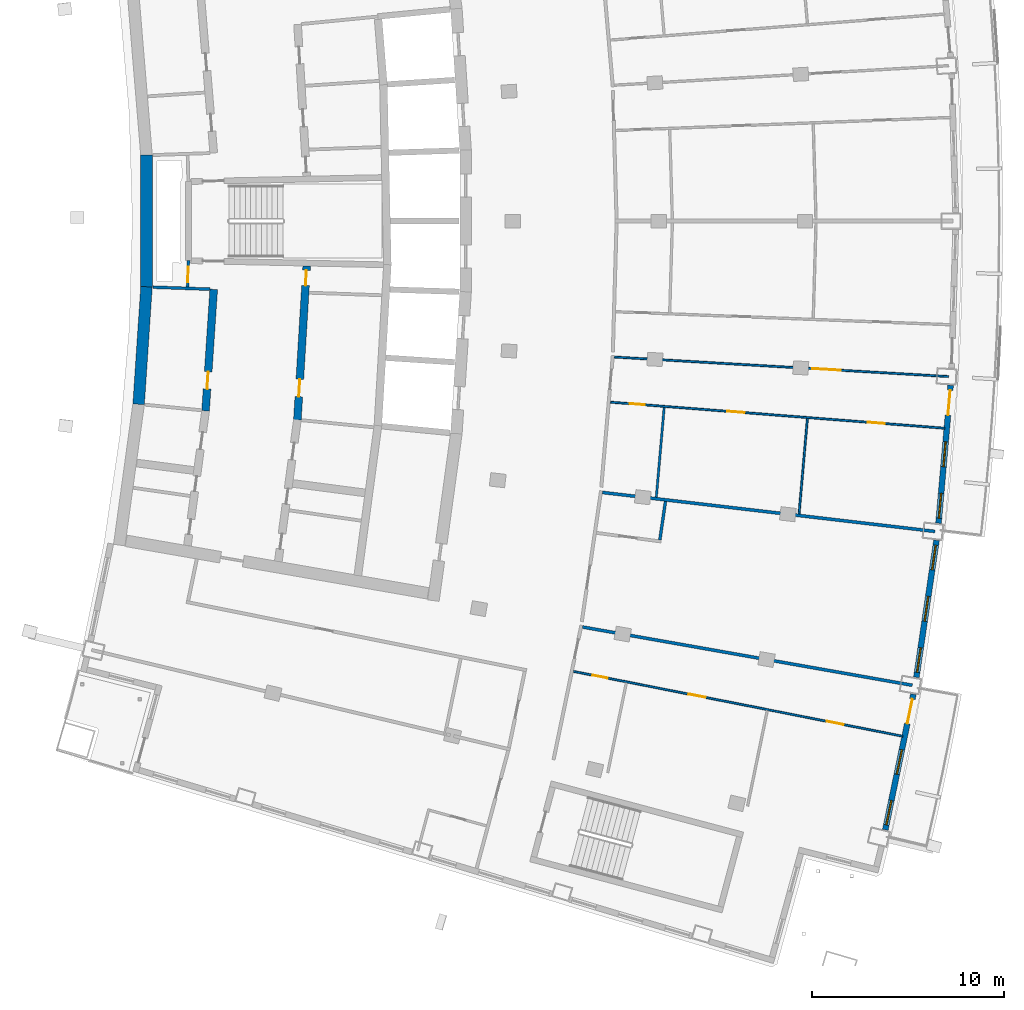
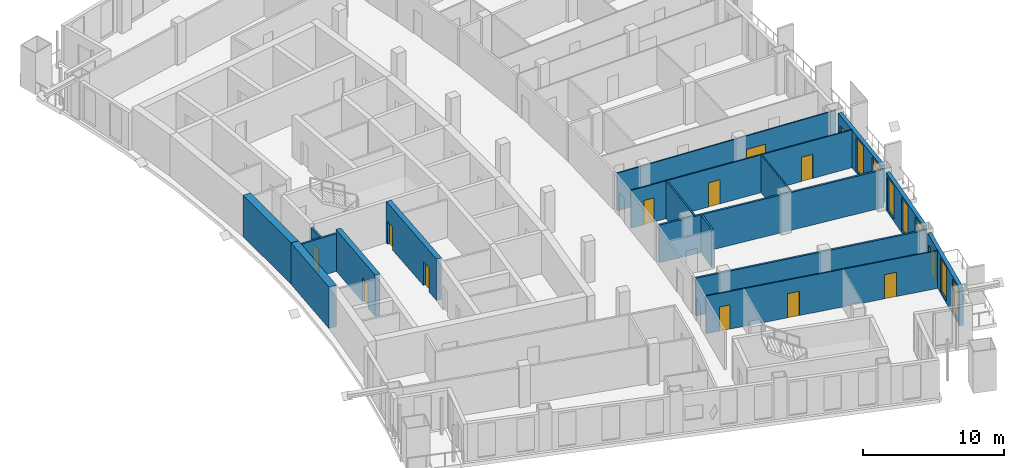
# One storey, part 11 of 19: 17 walls, 13 doors, 7 windows, 20 openings.
"""IFC4 building model written with IfcOpenShell, lengths in metres."""

import ifcopenshell
import ifcopenshell.guid

model = None  # the IFC model being written
_history = None  # IfcOwnerHistory: only IFC2X3 demands one
_inside = {}  # id of a spatial element -> (the spatial element, [elements in it])
_under = {}  # id of a project, library or spatial element -> (it, [spatial elements below it])
_declared = {}  # id of a project -> (the project, [libraries it declares])
_typed = {}  # id of a type object -> (the type object, [elements of that type])
_made_of = {}  # id of a material, layer set ... -> (it, [elements and type objects made of it])


def new_model(schema):
    """Start an empty IFC model of exactly this schema.

    Asked for "IFC4X3", IfcOpenShell would pick the latest addendum, in which some entities
    have other attributes; the version numbers below select the first issue.
    IFC2X3 requires an IfcOwnerHistory on every rooted entity: one is made here for all.
    """
    global model, _history
    if schema == "IFC4X3":
        model = ifcopenshell.file(schema_version=(4, 3, 0, 0))
    else:
        model = ifcopenshell.file(schema=schema)
    _inside.clear()
    _under.clear()
    _declared.clear()
    _typed.clear()
    _made_of.clear()
    _history = None
    if model.schema == "IFC2X3":
        org = make("IfcOrganization", Name="unknown")
        user = make(
            "IfcPersonAndOrganization",
            ThePerson=make("IfcPerson", FamilyName="unknown"),
            TheOrganization=org,
        )
        app = make(
            "IfcApplication",
            ApplicationDeveloper=org,
            Version="unknown",
            ApplicationFullName="unknown",
            ApplicationIdentifier="unknown",
        )
        _history = make(
            "IfcOwnerHistory",
            OwningUser=user,
            OwningApplication=app,
            ChangeAction="ADDED",
            CreationDate=0,
        )
    return model


def make(cls, **values):
    """One entity of the class cls with the attributes given. An attribute that is None is left unset."""
    return model.create_entity(
        cls, **{name: value for name, value in values.items() if value is not None}
    )


def rooted(cls, **values):
    """An entity with a GlobalId (a new one), such as an element, a storey or a relation."""
    return make(cls, GlobalId=ifcopenshell.guid.new(), OwnerHistory=_history, **values)


def si_unit(unit_type, name, prefix=None):
    """IfcSIUnit, for example si_unit("LENGTHUNIT", "METRE", prefix="MILLI")."""
    return make("IfcSIUnit", UnitType=unit_type, Prefix=prefix, Name=name)


def assignment(units):
    """IfcUnitAssignment: the units of a project."""
    return None if units is None else make("IfcUnitAssignment", Units=units)


def point(xyz):
    """IfcCartesianPoint."""
    return None if xyz is None else make("IfcCartesianPoint", Coordinates=xyz)


def direction(xyz):
    """IfcDirection."""
    return None if xyz is None else make("IfcDirection", DirectionRatios=xyz)


def frame(location, z_axis=None, x_axis=None):
    """IfcAxis2Placement3D, a coordinate frame: its origin and axes. An axis left out is left unset."""
    return make(
        "IfcAxis2Placement3D",
        Location=point(location),
        Axis=direction(z_axis),
        RefDirection=direction(x_axis),
    )


def frame_2d(location, x_axis=None):
    """IfcAxis2Placement2D, a coordinate frame in the plane: its origin and x axis."""
    return make(
        "IfcAxis2Placement2D", Location=point(location), RefDirection=direction(x_axis)
    )


def origin():
    """The frame at (0, 0, 0) with its axes left unset."""
    return frame((0.0, 0.0, 0.0))


def place(relative_to, where):
    """IfcLocalPlacement: puts the frame where relative to a parent placement (None: the world)."""
    return make(
        "IfcLocalPlacement", PlacementRelTo=relative_to, RelativePlacement=where
    )


def context(
    kind, dimensions, precision=None, world=None, true_north=None, identifier=None
):
    """IfcGeometricRepresentationContext, for example the 3D "Model" context."""
    return make(
        "IfcGeometricRepresentationContext",
        ContextIdentifier=identifier,
        ContextType=kind,
        CoordinateSpaceDimension=dimensions,
        Precision=precision,
        WorldCoordinateSystem=world,
        TrueNorth=true_north,
    )


def subcontext(parent, identifier, kind, view, scale=None):
    """IfcGeometricRepresentationSubContext, for example "Body" below "Model"."""
    return make(
        "IfcGeometricRepresentationSubContext",
        ContextIdentifier=identifier,
        ContextType=kind,
        ParentContext=parent,
        TargetScale=scale,
        TargetView=view,
    )


def project(units=None, contexts=None):
    """IfcProject with its units and contexts."""
    return rooted(
        "IfcProject",
        Name="project",
        RepresentationContexts=contexts,
        UnitsInContext=assignment(units),
    )


def spatial(cls, under=None, at=None, **own):
    """A site, building, storey or space (cls), placed at a placement, below another one or the project."""
    s = rooted(cls, ObjectPlacement=at, **own)
    if under is not None:
        _under.setdefault(under.id(), (under, []))[1].append(s)
    return s


def profile(cls, at=None, kind="AREA", **sizes):
    """A parametric profile (cls). Its sizes go by their IFC names, for example OverallWidth=200.0."""
    return make(cls, ProfileType=kind, Position=at, **sizes)


def rectangle(**sizes):
    """IfcRectangleProfileDef."""
    return profile("IfcRectangleProfileDef", **sizes)


def extrude(swept, where, along, depth):
    """IfcExtrudedAreaSolid: the profile swept, set in the frame where, extruded along a direction by depth."""
    return make(
        "IfcExtrudedAreaSolid",
        SweptArea=swept,
        Position=where,
        ExtrudedDirection=direction(along),
        Depth=depth,
    )


def shape(context_of_items, identifier, shape_type, items):
    """IfcShapeRepresentation: the items that make up one representation, for example the "Body"."""
    return make(
        "IfcShapeRepresentation",
        ContextOfItems=context_of_items,
        RepresentationIdentifier=identifier,
        RepresentationType=shape_type,
        Items=items,
    )


def material(Name=None, Category=None):
    """IfcMaterial."""
    return make("IfcMaterial", Name=Name, Category=Category)


def layer(
    of_material, thickness, ventilated=None, Name=None, Category=None, Priority=None
):
    """IfcMaterialLayer: one layer of a wall or slab, of a material (None: an air gap)."""
    return make(
        "IfcMaterialLayer",
        Material=of_material,
        LayerThickness=thickness,
        IsVentilated=ventilated,
        Name=Name,
        Category=Category,
        Priority=Priority,
    )


def layer_set(layers, Name=None):
    """IfcMaterialLayerSet."""
    return make("IfcMaterialLayerSet", MaterialLayers=layers, LayerSetName=Name)


def made_of(thing, what):
    """Note that an element or type object is made of a material, layer set ...; save() writes the relation."""
    if what is not None:
        _made_of.setdefault(what.id(), (what, []))[1].append(thing)
    return thing


def type_object(cls, material=None, **own):
    """A type object (cls), such as IfcWallType, which elements share."""
    return made_of(rooted(cls, **own), material)


def element(
    cls,
    number,
    at=None,
    inside=None,
    cuts=None,
    type_object=None,
    material=None,
    context=None,
    identifier="Body",
    shape_type=None,
    held_by="IfcProductDefinitionShape",
    body=None,
    shapes=None,
    **own,
):
    """One element of the class cls, such as IfcWall. Its Tag is "e" and its number.

    at: its placement. inside: the storey or other place that contains it. cuts: it is an
    opening in that element (IfcRelVoidsElement). A single representation is given by context,
    identifier, shape_type and body (its items); several are given by shapes. held_by: the class
    of the entity that holds the representations. save() writes the other relations.
    """
    e = rooted(cls, Tag="e%d" % number, ObjectPlacement=at, **own)
    if body is not None:
        shapes = [shape(context, identifier, shape_type, body)]
    if shapes is not None:
        e.Representation = make(held_by, Representations=shapes)
    if inside is not None:
        _inside.setdefault(inside.id(), (inside, []))[1].append(e)
    if cuts is not None:
        rooted(
            "IfcRelVoidsElement", RelatingBuildingElement=cuts, RelatedOpeningElement=e
        )
    if type_object is not None:
        _typed.setdefault(type_object.id(), (type_object, []))[1].append(e)
    return made_of(e, material)


def fill(opening, filler):
    """IfcRelFillsElement: the door or window that sits in an opening."""
    return rooted(
        "IfcRelFillsElement",
        RelatingOpeningElement=opening,
        RelatedBuildingElement=filler,
    )


def aggregate(whole, parts):
    """IfcRelAggregates: a whole, such as a stair, and the parts it consists of."""
    return rooted("IfcRelAggregates", RelatingObject=whole, RelatedObjects=parts)


def save(model, path):
    """Write the relations noted so far, then the file.

    IfcRelAggregates (storeys below a building ...), IfcRelContainedInSpatialStructure (elements
    in a storey), IfcRelDefinesByType, IfcRelAssociatesMaterial and IfcRelDeclares: one each for
    every whole, place, type object, material and project.
    """
    for whole, parts in _under.values():
        aggregate(whole, parts)
    for where, things in _inside.values():
        rooted(
            "IfcRelContainedInSpatialStructure",
            RelatedElements=things,
            RelatingStructure=where,
        )
    for kind, things in _typed.values():
        rooted("IfcRelDefinesByType", RelatedObjects=things, RelatingType=kind)
    for what, things in _made_of.values():
        rooted("IfcRelAssociatesMaterial", RelatedObjects=things, RelatingMaterial=what)
    for by, libraries in _declared.values():
        rooted("IfcRelDeclares", RelatingContext=by, RelatedDefinitions=libraries)
    model.write(path)


model = new_model("IFC4")

# Units and contexts
model_context = context("Model", 3, precision=1e-05, world=origin(), true_north=direction((0.0, 1.0)))
body_context = subcontext(model_context, "Body", "Model", "MODEL_VIEW")
ifc_project = project(units=[si_unit("LENGTHUNIT", "METRE"), si_unit("AREAUNIT", "SQUARE_METRE"), si_unit("VOLUMEUNIT", "CUBIC_METRE"), si_unit("PLANEANGLEUNIT", "RADIAN"), si_unit("MASSUNIT", "GRAM", prefix="KILO")], contexts=[model_context])

# Site, building, storey
site_placement = place(None, origin())
site = spatial("IfcSite", under=ifc_project, at=site_placement, CompositionType="ELEMENT")
building_placement = place(site_placement, origin())
building = spatial("IfcBuilding", under=site, at=building_placement, Name="Alderwake Tower", CompositionType="ELEMENT")
storey_placement = place(building_placement, frame((0.0, 0.0, 196.39990234375)))
storey = spatial("IfcBuildingStorey", under=building, at=storey_placement, Name="L48", CompositionType="ELEMENT", Elevation=196.39990234375)

# Wall, opening, door
ifc_material_1 = material(Name="Gypsum shaft wall system, rated")
ifc_layer_1 = layer(ifc_material_1, 0.14990234375)
ifc_layer_set_1 = layer_set([ifc_layer_1], Name="Core room partition 150")
wall_type_1 = type_object("IfcWallType", Name="Core room partition 150", PredefinedType="PARTITIONING", material=ifc_layer_set_1)
wall_1_placement = place(storey_placement, frame((18.918701171875, 58.94384765625, 0.0), z_axis=(0.0, 0.0, 1.0), x_axis=(-0.027811602725, -0.999613182563, 0.0)))
wall_1 = element("IfcWall", 1, at=wall_1_placement, inside=storey, type_object=wall_type_1, Name="CW/L48/PA+24_-37", PredefinedType="PARTITIONING", context=body_context, shape_type="SweptSolid", body=[
    extrude(rectangle(XDim=1.369384765625, YDim=0.14990234375, at=frame_2d((0.6845703125, 0.0))), origin(), (0.0, 0.0, 1.0), 3.280029296875),
])
opening_1_placement = place(wall_1_placement, frame((0.322998046875, 0.0, 0.0)))
opening_1 = element("IfcOpeningElement", 2, at=opening_1_placement, cuts=wall_1, Name="Opening C004", PredefinedType="OPENING", context=body_context, shape_type="SweptSolid", body=[
    extrude(rectangle(XDim=0.800048828125, YDim=2.0, at=frame_2d((0.39990234375, 1.0))), frame((0.0, 0.0849609375, 0.0), z_axis=(0.0, -1.0, 0.0), x_axis=(1.0, 0.0, 0.0)), (0.0, 0.0, 1.0), 0.169921875),
])
ifc_material_2 = material(Name="Painted steel leaf, rated", Category="steel")
door_type_1 = type_object("IfcDoorType", Name="Riser access door 800", OperationType="SINGLE_SWING_LEFT", PredefinedType="DOOR", material=ifc_material_2)
door_1_placement = place(opening_1_placement, origin())
door_1 = element("IfcDoor", 3, at=door_1_placement, inside=storey, type_object=door_type_1, Name="Riser access door", OperationType="SINGLE_SWING_RIGHT", OverallHeight=2.0, OverallWidth=0.800048828125, PredefinedType="DOOR", context=body_context, shape_type="SweptSolid", body=[
    extrude(rectangle(XDim=0.800048828125, YDim=2.0, at=frame_2d((0.39990234375, 1.0))), frame((0.0, 0.02490234375, 0.0), z_axis=(0.0, -1.0, 0.0), x_axis=(1.0, 0.0, 0.0)), (0.0, 0.0, 1.0), 0.050048828125),
])
fill(opening_1, door_1)

# Walls
wall_2_placement = place(storey_placement, frame((17.0693359375, 57.56396484375, 0.0), z_axis=(0.0, 0.0, 1.0), x_axis=(0.999374945052, -0.03535136775, 0.0)))
element("IfcWall", 4, at=wall_2_placement, inside=storey, type_object=wall_type_1, Name="CW/L48/PR-37_+0", PredefinedType="PARTITIONING", context=body_context, shape_type="SweptSolid", body=[
    extrude(rectangle(XDim=2.9697265625, YDim=0.14990234375, at=frame_2d((1.48486328125, 0.0))), origin(), (0.0, 0.0, 1.0), 3.280029296875),
])
ifc_material_3 = material(Name="Concrete C70/85", Category="concrete")
ifc_layer_2 = layer(ifc_material_3, 0.60009765625)
ifc_layer_set_2 = layer_set([ifc_layer_2], Name="Core wall outer 600 C70-85")
wall_type_2 = type_object("IfcWallType", Name="Core wall outer 600 C70-85", PredefinedType="SHEAR", material=ifc_layer_set_2)
wall_3_placement = place(storey_placement, frame((16.330078125, 51.469970703125, 0.0), z_axis=(0.0, 0.0, 1.0), x_axis=(0.066870582109, 0.997761657536, 0.0)))
element("IfcWall", 5, at=wall_3_placement, inside=storey, type_object=wall_type_2, Name="Core wall CW.036", PredefinedType="SHEAR", context=body_context, shape_type="SweptSolid", body=[
    extrude(rectangle(XDim=6.1298828125, YDim=0.60009765625, at=frame_2d((3.06494140625, 0.0))), origin(), (0.0, 0.0, 1.0), 3.60009765625),
])
wall_4_placement = place(storey_placement, frame((16.739501953125, 57.565185546875, 0.0), z_axis=(0.0, 0.0, 1.0), x_axis=(0.0, 1.0, 0.0)))
element("IfcWall", 6, at=wall_4_placement, inside=storey, type_object=wall_type_2, Name="Core wall CW.038", PredefinedType="SHEAR", context=body_context, shape_type="SweptSolid", body=[
    extrude(rectangle(XDim=6.8720703125, YDim=0.60009765625, at=frame_2d((3.43603515625, 0.0))), origin(), (0.0, 0.0, 1.0), 3.60009765625),
])

# Wall, opening, door
ifc_material_4 = material(Name="Concrete C70/85", Category="concrete")
ifc_layer_3 = layer(ifc_material_4, 0.39990234375)
ifc_layer_set_3 = layer_set([ifc_layer_3], Name="Core wall spine 400 C70-85")
wall_type_3 = type_object("IfcWallType", Name="Core wall spine 400 C70-85", PredefinedType="SHEAR", material=ifc_layer_set_3)
wall_5_placement = place(storey_placement, frame((20.2373046875, 57.451904296875, 0.0), z_axis=(0.0, 0.0, 1.0), x_axis=(-0.066884681503, -0.997760712486, 0.0)))
wall_5 = element("IfcWall", 7, at=wall_5_placement, inside=storey, type_object=wall_type_3, Name="Core wall CW.032", PredefinedType="SHEAR", context=body_context, shape_type="SweptSolid", body=[
    extrude(rectangle(XDim=6.336669921875, YDim=0.39990234375, at=frame_2d((3.16845703125, 0.0))), origin(), (0.0, 0.0, 1.0), 3.60009765625),
])
opening_2_placement = place(wall_5_placement, frame((4.297119140625, 0.0, 0.0)))
opening_2 = element("IfcOpeningElement", 8, at=opening_2_placement, cuts=wall_5, Name="Opening C040", PredefinedType="OPENING", context=body_context, shape_type="SweptSolid", body=[
    extrude(rectangle(XDim=0.89990234375, YDim=2.10009765625, at=frame_2d((0.449951171875, 1.050048828125))), frame((0.0, 0.2099609375, 0.0), z_axis=(0.0, -1.0, 0.0), x_axis=(1.0, 0.0, 0.0)), (0.0, 0.0, 1.0), 0.419921875),
])
ifc_material_5 = material(Name="Painted steel leaf", Category="steel")
door_type_2 = type_object("IfcDoorType", Name="Core room door 900", OperationType="SINGLE_SWING_LEFT", PredefinedType="DOOR", material=ifc_material_5)
door_2_placement = place(opening_2_placement, origin())
door_2 = element("IfcDoor", 9, at=door_2_placement, inside=storey, type_object=door_type_2, Name="Room door", OperationType="SINGLE_SWING_RIGHT", OverallHeight=2.10009765625, OverallWidth=0.89990234375, PredefinedType="DOOR", context=body_context, shape_type="SweptSolid", body=[
    extrude(rectangle(XDim=0.89990234375, YDim=2.10009765625, at=frame_2d((0.449951171875, 1.050048828125))), frame((0.0, 0.02490234375, 0.0), z_axis=(0.0, -1.0, 0.0), x_axis=(1.0, 0.0, 0.0)), (0.0, 0.0, 1.0), 0.050048828125),
])
fill(opening_2, door_2)

# Wall, openings, doors
wall_6_placement = place(storey_placement, frame((24.590087890625, 50.65673828125, 0.0), z_axis=(0.0, 0.0, 1.0), x_axis=(0.060318641452, 0.998179173041, 0.0)))
wall_6 = element("IfcWall", 10, at=wall_6_placement, inside=storey, type_object=wall_type_3, Name="Core wall CW.046", PredefinedType="SHEAR", context=body_context, shape_type="SweptSolid", body=[
    extrude(rectangle(XDim=8.022216796875, YDim=0.39990234375, at=frame_2d((4.01123046875, 0.0))), origin(), (0.0, 0.0, 1.0), 3.60009765625),
])
opening_3_placement = place(wall_6_placement, frame((7.006103515625, 0.0, 0.0)))
opening_3 = element("IfcOpeningElement", 11, at=opening_3_placement, cuts=wall_6, Name="Opening C006", PredefinedType="OPENING", context=body_context, shape_type="SweptSolid", body=[
    extrude(rectangle(XDim=0.800048828125, YDim=2.0, at=frame_2d((0.39990234375, 1.0))), frame((0.0, 0.2099609375, 0.0), z_axis=(0.0, -1.0, 0.0), x_axis=(1.0, 0.0, 0.0)), (0.0, 0.0, 1.0), 0.419921875),
])
opening_4_placement = place(wall_6_placement, frame((1.21533203125, 0.0, 0.0)))
opening_4 = element("IfcOpeningElement", 12, at=opening_4_placement, cuts=wall_6, Name="Opening C046", PredefinedType="OPENING", context=body_context, shape_type="SweptSolid", body=[
    extrude(rectangle(XDim=0.89990234375, YDim=2.10009765625, at=frame_2d((0.449951171875, 1.050048828125))), frame((0.0, 0.2099609375, 0.0), z_axis=(0.0, -1.0, 0.0), x_axis=(1.0, 0.0, 0.0)), (0.0, 0.0, 1.0), 0.419921875),
])
door_3_placement = place(opening_4_placement, origin())
door_3 = element("IfcDoor", 13, at=door_3_placement, inside=storey, type_object=door_type_2, Name="Room door", OperationType="SINGLE_SWING_RIGHT", OverallHeight=2.10009765625, OverallWidth=0.89990234375, PredefinedType="DOOR", context=body_context, shape_type="SweptSolid", body=[
    extrude(rectangle(XDim=0.89990234375, YDim=2.10009765625, at=frame_2d((0.449951171875, 1.050048828125))), frame((0.0, 0.02490234375, 0.0), z_axis=(0.0, -1.0, 0.0), x_axis=(1.0, 0.0, 0.0)), (0.0, 0.0, 1.0), 0.050048828125),
])
fill(opening_4, door_3)
door_4_placement = place(opening_3_placement, origin())
door_4 = element("IfcDoor", 14, at=door_4_placement, inside=storey, type_object=door_type_1, Name="Riser access door", OperationType="SINGLE_SWING_RIGHT", OverallHeight=2.0, OverallWidth=0.800048828125, PredefinedType="DOOR", context=body_context, shape_type="SweptSolid", body=[
    extrude(rectangle(XDim=0.800048828125, YDim=2.0, at=frame_2d((0.39990234375, 1.0))), frame((0.0, 0.02490234375, 0.0), z_axis=(0.0, -1.0, 0.0), x_axis=(1.0, 0.0, 0.0)), (0.0, 0.0, 1.0), 0.050048828125),
])
fill(opening_3, door_4)

# Walls
ifc_material_6 = material(Name="Gypsum board on metal studs, rated")
ifc_layer_4 = layer(ifc_material_6, 0.159912109375)
ifc_layer_set_4 = layer_set([ifc_layer_4], Name="Corridor wall 160")
wall_type_4 = type_object("IfcWallType", Name="Corridor wall 160", PredefinedType="PARTITIONING", material=ifc_layer_set_4)
wall_7_placement = place(storey_placement, frame((56.5830078125, 36.85205078125, 0.0), z_axis=(0.0, 0.0, 1.0), x_axis=(-0.984749823473, 0.173976392566, 0.0)))
element("IfcWall", 15, at=wall_7_placement, inside=storey, type_object=wall_type_4, Name="WL/L48/W28", PredefinedType="PARTITIONING", context=body_context, shape_type="SweptSolid", body=[
    extrude(rectangle(XDim=17.421875, YDim=0.159912109375, at=frame_2d((8.7109375, 0.0))), origin(), (0.0, 0.0, 1.0), 3.280029296875),
])
wall_8_placement = place(storey_placement, frame((57.756103515625, 44.85595703125, 0.0), z_axis=(0.0, 0.0, 1.0), x_axis=(-0.993199884599, 0.116421601229, 0.0)))
element("IfcWall", 16, at=wall_8_placement, inside=storey, type_object=wall_type_4, Name="WL/L48/W29", PredefinedType="PARTITIONING", context=body_context, shape_type="SweptSolid", body=[
    extrude(rectangle(XDim=17.41796875, YDim=0.159912109375, at=frame_2d((8.708984375, 0.0))), origin(), (0.0, 0.0, 1.0), 3.280029296875),
])

# Wall, openings, door, windows
ifc_material_7 = material(Name="Precast concrete C50/60 spandrel panel", Category="concrete")
ifc_layer_5 = layer(ifc_material_7, 0.300048828125)
ifc_layer_set_5 = layer_set([ifc_layer_5], Name="External wall EW1 Precast concrete C50/60 spandrel")
wall_type_5 = type_object("IfcWallType", Name="External wall EW1 Precast concrete C50/60 spandrel", PredefinedType="SOLIDWALL", material=ifc_layer_set_5)
wall_9_placement = place(storey_placement, frame((55.177978515625, 29.3330078125, 0.0), z_axis=(0.0, 0.0, 1.0), x_axis=(0.202740086823, 0.979232585852, 0.0)))
wall_9 = element("IfcWall", 17, at=wall_9_placement, inside=storey, type_object=wall_type_5, Name="External wall 12", PredefinedType="SOLIDWALL", context=body_context, shape_type="SweptSolid", body=[
    extrude(rectangle(XDim=7.20361328125, YDim=0.300048828125, at=frame_2d((3.601806640625, 0.0))), origin(), (0.0, 0.0, 1.0), 3.280029296875),
])
opening_5_placement = place(wall_9_placement, frame((0.257080078125, 0.0, 0.199951171875)))
opening_5 = element("IfcOpeningElement", 18, at=opening_5_placement, cuts=wall_9, Name="Opening W1", PredefinedType="OPENING", context=body_context, shape_type="SweptSolid", body=[
    extrude(rectangle(XDim=1.300048828125, YDim=2.89990234375, at=frame_2d((0.64990234375, 1.449951171875))), frame((0.0, 0.159912109375, 0.0), z_axis=(0.0, -1.0, 0.0), x_axis=(1.0, 0.0, 0.0)), (0.0, 0.0, 1.0), 0.320068359375),
])
opening_6_placement = place(wall_9_placement, frame((2.951904296875, 0.0, 0.199951171875)))
opening_6 = element("IfcOpeningElement", 19, at=opening_6_placement, cuts=wall_9, Name="Opening W1", PredefinedType="OPENING", context=body_context, shape_type="SweptSolid", body=[
    extrude(rectangle(XDim=1.300048828125, YDim=2.89990234375, at=frame_2d((0.64990234375, 1.449951171875))), frame((0.0, 0.159912109375, 0.0), z_axis=(0.0, -1.0, 0.0), x_axis=(1.0, 0.0, 0.0)), (0.0, 0.0, 1.0), 0.320068359375),
])
opening_7_placement = place(wall_9_placement, frame((5.646484375, 0.0, 0.0)))
opening_7 = element("IfcOpeningElement", 20, at=opening_7_placement, cuts=wall_9, Name="Opening D02", PredefinedType="OPENING", context=body_context, shape_type="SweptSolid", body=[
    extrude(rectangle(XDim=1.300048828125, YDim=2.39990234375, at=frame_2d((0.64990234375, 1.199951171875))), frame((0.0, 0.159912109375, 0.0), z_axis=(0.0, -1.0, 0.0), x_axis=(1.0, 0.0, 0.0)), (0.0, 0.0, 1.0), 0.320068359375),
])
ifc_material_8 = material(Name="Bronze tinted glass in aluminium frame", Category="aluminium")
door_type_3 = type_object("IfcDoorType", Name="Balcony door BD sliding", OperationType="SLIDING_TO_LEFT", PredefinedType="DOOR", material=ifc_material_8)
door_5_placement = place(opening_7_placement, origin())
door_5 = element("IfcDoor", 21, at=door_5_placement, inside=storey, type_object=door_type_3, Name="Door D02", OperationType="SLIDING_TO_LEFT", OverallHeight=2.39990234375, OverallWidth=1.300048828125, PredefinedType="DOOR", context=body_context, shape_type="SweptSolid", body=[
    extrude(rectangle(XDim=1.300048828125, YDim=2.39990234375, at=frame_2d((0.64990234375, 1.199951171875))), frame((0.0, 0.02490234375, 0.0), z_axis=(0.0, -1.0, 0.0), x_axis=(1.0, 0.0, 0.0)), (0.0, 0.0, 1.0), 0.050048828125),
])
fill(opening_7, door_5)
ifc_material_9 = material(Name="Bronze tinted glass in aluminium frame", Category="aluminium")
window_type = type_object("IfcWindowType", Name="Window W1 tall fixed and vent", PartitioningType="DOUBLE_PANEL_VERTICAL", PredefinedType="WINDOW", material=ifc_material_9)
window_1_placement = place(opening_5_placement, origin())
window_1 = element("IfcWindow", 22, at=window_1_placement, inside=storey, type_object=window_type, Name="Window W1 tall fixed and vent", OverallHeight=2.89990234375, OverallWidth=1.300048828125, PartitioningType="DOUBLE_PANEL_VERTICAL", PredefinedType="WINDOW", context=body_context, shape_type="SweptSolid", body=[
    extrude(rectangle(XDim=1.300048828125, YDim=2.89990234375, at=frame_2d((0.64990234375, 1.449951171875))), frame((0.0, 0.030029296875, 0.0), z_axis=(0.0, -1.0, 0.0), x_axis=(1.0, 0.0, 0.0)), (0.0, 0.0, 1.0), 0.06005859375),
])
fill(opening_5, window_1)
window_2_placement = place(opening_6_placement, origin())
window_2 = element("IfcWindow", 23, at=window_2_placement, inside=storey, type_object=window_type, Name="Window W1 tall fixed and vent", OverallHeight=2.89990234375, OverallWidth=1.300048828125, PartitioningType="DOUBLE_PANEL_VERTICAL", PredefinedType="WINDOW", context=body_context, shape_type="SweptSolid", body=[
    extrude(rectangle(XDim=1.300048828125, YDim=2.89990234375, at=frame_2d((0.64990234375, 1.449951171875))), frame((0.0, 0.030029296875, 0.0), z_axis=(0.0, -1.0, 0.0), x_axis=(1.0, 0.0, 0.0)), (0.0, 0.0, 1.0), 0.06005859375),
])
fill(opening_6, window_2)

# Wall, openings, windows
wall_10_placement = place(storey_placement, frame((56.794189453125, 37.267578125, 0.0), z_axis=(0.0, 0.0, 1.0), x_axis=(0.145320319938, 0.98938465958, 0.0)))
wall_10 = element("IfcWall", 24, at=wall_10_placement, inside=storey, type_object=wall_type_5, Name="External wall 13", PredefinedType="SOLIDWALL", context=body_context, shape_type="SweptSolid", body=[
    extrude(rectangle(XDim=7.203857421875, YDim=0.300048828125, at=frame_2d((3.60205078125, 0.0))), origin(), (0.0, 0.0, 1.0), 3.280029296875),
])
opening_8_placement = place(wall_10_placement, frame((0.257080078125, 0.0, 0.199951171875)))
opening_8 = element("IfcOpeningElement", 25, at=opening_8_placement, cuts=wall_10, Name="Opening W1", PredefinedType="OPENING", context=body_context, shape_type="SweptSolid", body=[
    extrude(rectangle(XDim=1.300048828125, YDim=2.89990234375, at=frame_2d((0.64990234375, 1.449951171875))), frame((0.0, 0.159912109375, 0.0), z_axis=(0.0, -1.0, 0.0), x_axis=(1.0, 0.0, 0.0)), (0.0, 0.0, 1.0), 0.320068359375),
])
opening_9_placement = place(wall_10_placement, frame((2.951904296875, 0.0, 0.199951171875)))
opening_9 = element("IfcOpeningElement", 26, at=opening_9_placement, cuts=wall_10, Name="Opening W1", PredefinedType="OPENING", context=body_context, shape_type="SweptSolid", body=[
    extrude(rectangle(XDim=1.300048828125, YDim=2.89990234375, at=frame_2d((0.64990234375, 1.449951171875))), frame((0.0, 0.159912109375, 0.0), z_axis=(0.0, -1.0, 0.0), x_axis=(1.0, 0.0, 0.0)), (0.0, 0.0, 1.0), 0.320068359375),
])
opening_10_placement = place(wall_10_placement, frame((5.646484375, 0.0, 0.199951171875)))
opening_10 = element("IfcOpeningElement", 27, at=opening_10_placement, cuts=wall_10, Name="Opening W1", PredefinedType="OPENING", context=body_context, shape_type="SweptSolid", body=[
    extrude(rectangle(XDim=1.300048828125, YDim=2.89990234375, at=frame_2d((0.64990234375, 1.449951171875))), frame((0.0, 0.159912109375, 0.0), z_axis=(0.0, -1.0, 0.0), x_axis=(1.0, 0.0, 0.0)), (0.0, 0.0, 1.0), 0.320068359375),
])
window_3_placement = place(opening_8_placement, origin())
window_3 = element("IfcWindow", 28, at=window_3_placement, inside=storey, type_object=window_type, Name="Window W1 tall fixed and vent", OverallHeight=2.89990234375, OverallWidth=1.300048828125, PartitioningType="DOUBLE_PANEL_VERTICAL", PredefinedType="WINDOW", context=body_context, shape_type="SweptSolid", body=[
    extrude(rectangle(XDim=1.300048828125, YDim=2.89990234375, at=frame_2d((0.64990234375, 1.449951171875))), frame((0.0, 0.030029296875, 0.0), z_axis=(0.0, -1.0, 0.0), x_axis=(1.0, 0.0, 0.0)), (0.0, 0.0, 1.0), 0.06005859375),
])
fill(opening_8, window_3)
window_4_placement = place(opening_9_placement, origin())
window_4 = element("IfcWindow", 29, at=window_4_placement, inside=storey, type_object=window_type, Name="Window W1 tall fixed and vent", OverallHeight=2.89990234375, OverallWidth=1.300048828125, PartitioningType="DOUBLE_PANEL_VERTICAL", PredefinedType="WINDOW", context=body_context, shape_type="SweptSolid", body=[
    extrude(rectangle(XDim=1.300048828125, YDim=2.89990234375, at=frame_2d((0.64990234375, 1.449951171875))), frame((0.0, 0.030029296875, 0.0), z_axis=(0.0, -1.0, 0.0), x_axis=(1.0, 0.0, 0.0)), (0.0, 0.0, 1.0), 0.06005859375),
])
fill(opening_9, window_4)
window_5_placement = place(opening_10_placement, origin())
window_5 = element("IfcWindow", 30, at=window_5_placement, inside=storey, type_object=window_type, Name="Window W1 tall fixed and vent", OverallHeight=2.89990234375, OverallWidth=1.300048828125, PartitioningType="DOUBLE_PANEL_VERTICAL", PredefinedType="WINDOW", context=body_context, shape_type="SweptSolid", body=[
    extrude(rectangle(XDim=1.300048828125, YDim=2.89990234375, at=frame_2d((0.64990234375, 1.449951171875))), frame((0.0, 0.030029296875, 0.0), z_axis=(0.0, -1.0, 0.0), x_axis=(1.0, 0.0, 0.0)), (0.0, 0.0, 1.0), 0.06005859375),
])
fill(opening_10, window_5)

# Wall, openings, door, windows
wall_11_placement = place(storey_placement, frame((57.9453125, 45.283203125, 0.0), z_axis=(0.0, 0.0, 1.0), x_axis=(0.087372536775, 0.996175707301, 0.0)))
wall_11 = element("IfcWall", 31, at=wall_11_placement, inside=storey, type_object=wall_type_5, Name="External wall 14", PredefinedType="SOLIDWALL", context=body_context, shape_type="SweptSolid", body=[
    extrude(rectangle(XDim=7.20361328125, YDim=0.300048828125, at=frame_2d((3.601806640625, 0.0))), origin(), (0.0, 0.0, 1.0), 3.280029296875),
])
opening_11_placement = place(wall_11_placement, frame((0.257080078125, 0.0, 0.199951171875)))
opening_11 = element("IfcOpeningElement", 32, at=opening_11_placement, cuts=wall_11, Name="Opening W1", PredefinedType="OPENING", context=body_context, shape_type="SweptSolid", body=[
    extrude(rectangle(XDim=1.300048828125, YDim=2.89990234375, at=frame_2d((0.64990234375, 1.449951171875))), frame((0.0, 0.159912109375, 0.0), z_axis=(0.0, -1.0, 0.0), x_axis=(1.0, 0.0, 0.0)), (0.0, 0.0, 1.0), 0.320068359375),
])
opening_12_placement = place(wall_11_placement, frame((2.951904296875, 0.0, 0.199951171875)))
opening_12 = element("IfcOpeningElement", 33, at=opening_12_placement, cuts=wall_11, Name="Opening W1", PredefinedType="OPENING", context=body_context, shape_type="SweptSolid", body=[
    extrude(rectangle(XDim=1.300048828125, YDim=2.89990234375, at=frame_2d((0.64990234375, 1.449951171875))), frame((0.0, 0.159912109375, 0.0), z_axis=(0.0, -1.0, 0.0), x_axis=(1.0, 0.0, 0.0)), (0.0, 0.0, 1.0), 0.320068359375),
])
opening_13_placement = place(wall_11_placement, frame((5.646484375, 0.0, 0.0)))
opening_13 = element("IfcOpeningElement", 34, at=opening_13_placement, cuts=wall_11, Name="Opening D03", PredefinedType="OPENING", context=body_context, shape_type="SweptSolid", body=[
    extrude(rectangle(XDim=1.300048828125, YDim=2.39990234375, at=frame_2d((0.64990234375, 1.199951171875))), frame((0.0, 0.159912109375, 0.0), z_axis=(0.0, -1.0, 0.0), x_axis=(1.0, 0.0, 0.0)), (0.0, 0.0, 1.0), 0.320068359375),
])
door_6_placement = place(opening_13_placement, origin())
door_6 = element("IfcDoor", 35, at=door_6_placement, inside=storey, type_object=door_type_3, Name="Door D03", OperationType="SLIDING_TO_LEFT", OverallHeight=2.39990234375, OverallWidth=1.300048828125, PredefinedType="DOOR", context=body_context, shape_type="SweptSolid", body=[
    extrude(rectangle(XDim=1.300048828125, YDim=2.39990234375, at=frame_2d((0.64990234375, 1.199951171875))), frame((0.0, 0.02490234375, 0.0), z_axis=(0.0, -1.0, 0.0), x_axis=(1.0, 0.0, 0.0)), (0.0, 0.0, 1.0), 0.050048828125),
])
fill(opening_13, door_6)
window_6_placement = place(opening_11_placement, origin())
window_6 = element("IfcWindow", 36, at=window_6_placement, inside=storey, type_object=window_type, Name="Window W1 tall fixed and vent", OverallHeight=2.89990234375, OverallWidth=1.300048828125, PartitioningType="DOUBLE_PANEL_VERTICAL", PredefinedType="WINDOW", context=body_context, shape_type="SweptSolid", body=[
    extrude(rectangle(XDim=1.300048828125, YDim=2.89990234375, at=frame_2d((0.64990234375, 1.449951171875))), frame((0.0, 0.030029296875, 0.0), z_axis=(0.0, -1.0, 0.0), x_axis=(1.0, 0.0, 0.0)), (0.0, 0.0, 1.0), 0.06005859375),
])
fill(opening_11, window_6)
window_7_placement = place(opening_12_placement, origin())
window_7 = element("IfcWindow", 37, at=window_7_placement, inside=storey, type_object=window_type, Name="Window W1 tall fixed and vent", OverallHeight=2.89990234375, OverallWidth=1.300048828125, PartitioningType="DOUBLE_PANEL_VERTICAL", PredefinedType="WINDOW", context=body_context, shape_type="SweptSolid", body=[
    extrude(rectangle(XDim=1.300048828125, YDim=2.89990234375, at=frame_2d((0.64990234375, 1.449951171875))), frame((0.0, 0.030029296875, 0.0), z_axis=(0.0, -1.0, 0.0), x_axis=(1.0, 0.0, 0.0)), (0.0, 0.0, 1.0), 0.06005859375),
])
fill(opening_12, window_7)

# Wall
ifc_material_10 = material(Name="Gypsum shaft wall system, rated")
ifc_layer_6 = layer(ifc_material_10, 0.14990234375)
ifc_layer_set_6 = layer_set([ifc_layer_6], Name="Riser and shaft wall 150")
wall_type_6 = type_object("IfcWallType", Name="Riser and shaft wall 150", PredefinedType="PARTITIONING", material=ifc_layer_set_6)
wall_12_placement = place(storey_placement, frame((43.44775390625, 44.414306640625, 0.0), z_axis=(0.0, 0.0, 1.0), x_axis=(0.144577466262, 0.989493484693, 0.0)))
element("IfcWall", 38, at=wall_12_placement, inside=storey, type_object=wall_type_6, Name="WL/L48/W07", PredefinedType="PARTITIONING", context=body_context, shape_type="SweptSolid", body=[
    extrude(rectangle(XDim=2.024658203125, YDim=0.14990234375, at=frame_2d((1.01220703125, 0.0))), origin(), (0.0, 0.0, 1.0), 3.280029296875),
])

# Wall, openings, doors
ifc_material_11 = material(Name="Gypsum board on metal studs")
ifc_layer_7 = layer(ifc_material_11, 0.10009765625)
ifc_layer_set_7 = layer_set([ifc_layer_7], Name="Unit partition 100")
wall_type_7 = type_object("IfcWallType", Name="Unit partition 100", PredefinedType="PARTITIONING", material=ifc_layer_set_7)
wall_13_placement = place(storey_placement, frame((56.08203125, 34.199951171875, 0.0), z_axis=(0.0, 0.0, 1.0), x_axis=(-0.981149196893, 0.193251787666, 0.0)))
wall_13 = element("IfcWall", 39, at=wall_13_placement, inside=storey, type_object=wall_type_7, Name="WL/L48/W43", PredefinedType="PARTITIONING", context=body_context, shape_type="SweptSolid", body=[
    extrude(rectangle(XDim=17.461669921875, YDim=0.10009765625, at=frame_2d((8.73095703125, 0.0))), origin(), (0.0, 0.0, 1.0), 3.280029296875),
])
opening_14_placement = place(wall_13_placement, frame((10.4560546875, 0.0, 0.0)))
opening_14 = element("IfcOpeningElement", 40, at=opening_14_placement, cuts=wall_13, Name="Opening R13-U03.1", PredefinedType="OPENING", context=body_context, shape_type="SweptSolid", body=[
    extrude(rectangle(XDim=0.89990234375, YDim=2.10009765625, at=frame_2d((0.449951171875, 1.050048828125))), frame((0.0, 0.06005859375, 0.0), z_axis=(0.0, -1.0, 0.0), x_axis=(1.0, 0.0, 0.0)), (0.0, 0.0, 1.0), 0.1201171875),
])
opening_15_placement = place(wall_13_placement, frame((15.652099609375, 0.0, 0.0)))
opening_15 = element("IfcOpeningElement", 41, at=opening_15_placement, cuts=wall_13, Name="Opening R13-U03.3", PredefinedType="OPENING", context=body_context, shape_type="SweptSolid", body=[
    extrude(rectangle(XDim=0.800048828125, YDim=2.10009765625, at=frame_2d((0.39990234375, 1.050048828125))), frame((0.0, 0.06005859375, 0.0), z_axis=(0.0, -1.0, 0.0), x_axis=(1.0, 0.0, 0.0)), (0.0, 0.0, 1.0), 0.1201171875),
])
opening_16_placement = place(wall_13_placement, frame((3.134521484375, 0.0, 0.0)))
opening_16 = element("IfcOpeningElement", 42, at=opening_16_placement, cuts=wall_13, Name="Opening R13-U03.4", PredefinedType="OPENING", context=body_context, shape_type="SweptSolid", body=[
    extrude(rectangle(XDim=0.89990234375, YDim=2.10009765625, at=frame_2d((0.449951171875, 1.050048828125))), frame((0.0, 0.06005859375, 0.0), z_axis=(0.0, -1.0, 0.0), x_axis=(1.0, 0.0, 0.0)), (0.0, 0.0, 1.0), 0.1201171875),
])
ifc_material_12 = material(Name="Painted timber leaf", Category="wood")
door_type_4 = type_object("IfcDoorType", Name="Bathroom door 800", OperationType="SINGLE_SWING_LEFT", PredefinedType="DOOR", material=ifc_material_12)
door_7_placement = place(opening_15_placement, origin())
door_7 = element("IfcDoor", 43, at=door_7_placement, inside=storey, type_object=door_type_4, Name="DR/L48/U03.3", OperationType="SINGLE_SWING_LEFT", OverallHeight=2.10009765625, OverallWidth=0.800048828125, PredefinedType="DOOR", context=body_context, shape_type="SweptSolid", body=[
    extrude(rectangle(XDim=0.800048828125, YDim=2.10009765625, at=frame_2d((0.39990234375, 1.050048828125))), frame((0.0, 0.02490234375, 0.0), z_axis=(0.0, -1.0, 0.0), x_axis=(1.0, 0.0, 0.0)), (0.0, 0.0, 1.0), 0.050048828125),
])
fill(opening_15, door_7)
ifc_material_13 = material(Name="Painted timber leaf", Category="wood")
door_type_5 = type_object("IfcDoorType", Name="Room door 900", OperationType="SINGLE_SWING_LEFT", PredefinedType="DOOR", material=ifc_material_13)
door_8_placement = place(opening_14_placement, origin())
door_8 = element("IfcDoor", 44, at=door_8_placement, inside=storey, type_object=door_type_5, Name="DR/L48/U03.1", OperationType="SINGLE_SWING_LEFT", OverallHeight=2.10009765625, OverallWidth=0.89990234375, PredefinedType="DOOR", context=body_context, shape_type="SweptSolid", body=[
    extrude(rectangle(XDim=0.89990234375, YDim=2.10009765625, at=frame_2d((0.449951171875, 1.050048828125))), frame((0.0, 0.02490234375, 0.0), z_axis=(0.0, -1.0, 0.0), x_axis=(1.0, 0.0, 0.0)), (0.0, 0.0, 1.0), 0.050048828125),
])
fill(opening_14, door_8)
door_9_placement = place(opening_16_placement, origin())
door_9 = element("IfcDoor", 45, at=door_9_placement, inside=storey, type_object=door_type_5, Name="DR/L48/U03.4", OperationType="SINGLE_SWING_LEFT", OverallHeight=2.10009765625, OverallWidth=0.89990234375, PredefinedType="DOOR", context=body_context, shape_type="SweptSolid", body=[
    extrude(rectangle(XDim=0.89990234375, YDim=2.10009765625, at=frame_2d((0.449951171875, 1.050048828125))), frame((0.0, 0.02490234375, 0.0), z_axis=(0.0, -1.0, 0.0), x_axis=(1.0, 0.0, 0.0)), (0.0, 0.0, 1.0), 0.050048828125),
])
fill(opening_16, door_9)

wall_14_placement = place(storey_placement, frame((58.278076171875, 50.222900390625, 0.0), z_axis=(0.0, 0.0, 1.0), x_axis=(-0.996967838028, 0.077814715426, 0.0)))
wall_14 = element("IfcWall", 46, at=wall_14_placement, inside=storey, type_object=wall_type_7, Name="WL/L48/W44", PredefinedType="PARTITIONING", context=body_context, shape_type="SweptSolid", body=[
    extrude(rectangle(XDim=17.463134765625, YDim=0.10009765625, at=frame_2d((8.7314453125, 0.0))), origin(), (0.0, 0.0, 1.0), 3.280029296875),
])
opening_17_placement = place(wall_14_placement, frame((10.45751953125, 0.0, 0.0)))
opening_17 = element("IfcOpeningElement", 47, at=opening_17_placement, cuts=wall_14, Name="Opening R13-U04.1", PredefinedType="OPENING", context=body_context, shape_type="SweptSolid", body=[
    extrude(rectangle(XDim=0.89990234375, YDim=2.10009765625, at=frame_2d((0.449951171875, 1.050048828125))), frame((0.0, 0.06005859375, 0.0), z_axis=(0.0, -1.0, 0.0), x_axis=(1.0, 0.0, 0.0)), (0.0, 0.0, 1.0), 0.1201171875),
])
opening_18_placement = place(wall_14_placement, frame((15.65380859375, 0.0, 0.0)))
opening_18 = element("IfcOpeningElement", 48, at=opening_18_placement, cuts=wall_14, Name="Opening R13-U04.3", PredefinedType="OPENING", context=body_context, shape_type="SweptSolid", body=[
    extrude(rectangle(XDim=0.800048828125, YDim=2.10009765625, at=frame_2d((0.39990234375, 1.050048828125))), frame((0.0, 0.06005859375, 0.0), z_axis=(0.0, -1.0, 0.0), x_axis=(1.0, 0.0, 0.0)), (0.0, 0.0, 1.0), 0.1201171875),
])
opening_19_placement = place(wall_14_placement, frame((3.1357421875, 0.0, 0.0)))
opening_19 = element("IfcOpeningElement", 49, at=opening_19_placement, cuts=wall_14, Name="Opening R13-U04.4", PredefinedType="OPENING", context=body_context, shape_type="SweptSolid", body=[
    extrude(rectangle(XDim=0.89990234375, YDim=2.10009765625, at=frame_2d((0.449951171875, 1.050048828125))), frame((0.0, 0.06005859375, 0.0), z_axis=(0.0, -1.0, 0.0), x_axis=(1.0, 0.0, 0.0)), (0.0, 0.0, 1.0), 0.1201171875),
])
door_10_placement = place(opening_18_placement, origin())
door_10 = element("IfcDoor", 50, at=door_10_placement, inside=storey, type_object=door_type_4, Name="DR/L48/U04.3", OperationType="SINGLE_SWING_LEFT", OverallHeight=2.10009765625, OverallWidth=0.800048828125, PredefinedType="DOOR", context=body_context, shape_type="SweptSolid", body=[
    extrude(rectangle(XDim=0.800048828125, YDim=2.10009765625, at=frame_2d((0.39990234375, 1.050048828125))), frame((0.0, 0.02490234375, 0.0), z_axis=(0.0, -1.0, 0.0), x_axis=(1.0, 0.0, 0.0)), (0.0, 0.0, 1.0), 0.050048828125),
])
fill(opening_18, door_10)
door_11_placement = place(opening_17_placement, origin())
door_11 = element("IfcDoor", 51, at=door_11_placement, inside=storey, type_object=door_type_5, Name="DR/L48/U04.1", OperationType="SINGLE_SWING_LEFT", OverallHeight=2.10009765625, OverallWidth=0.89990234375, PredefinedType="DOOR", context=body_context, shape_type="SweptSolid", body=[
    extrude(rectangle(XDim=0.89990234375, YDim=2.10009765625, at=frame_2d((0.449951171875, 1.050048828125))), frame((0.0, 0.02490234375, 0.0), z_axis=(0.0, -1.0, 0.0), x_axis=(1.0, 0.0, 0.0)), (0.0, 0.0, 1.0), 0.050048828125),
])
fill(opening_17, door_11)
door_12_placement = place(opening_19_placement, origin())
door_12 = element("IfcDoor", 52, at=door_12_placement, inside=storey, type_object=door_type_5, Name="DR/L48/U04.4", OperationType="SINGLE_SWING_LEFT", OverallHeight=2.10009765625, OverallWidth=0.89990234375, PredefinedType="DOOR", context=body_context, shape_type="SweptSolid", body=[
    extrude(rectangle(XDim=0.89990234375, YDim=2.10009765625, at=frame_2d((0.449951171875, 1.050048828125))), frame((0.0, 0.02490234375, 0.0), z_axis=(0.0, -1.0, 0.0), x_axis=(1.0, 0.0, 0.0)), (0.0, 0.0, 1.0), 0.050048828125),
])
fill(opening_19, door_12)

# Wall
wall_15_placement = place(storey_placement, frame((50.68896484375, 45.763671875, 0.0), z_axis=(0.0, 0.0, 1.0), x_axis=(0.087343685822, 0.996178237339, 0.0)))
element("IfcWall", 53, at=wall_15_placement, inside=storey, type_object=wall_type_7, Name="WL/L48/W51", PredefinedType="PARTITIONING", context=body_context, shape_type="SweptSolid", body=[
    extrude(rectangle(XDim=4.986572265625, YDim=0.10009765625, at=frame_2d((2.4931640625, 0.0))), origin(), (0.0, 0.0, 1.0), 3.280029296875),
])

# Wall, opening, door
wall_16_placement = place(storey_placement, frame((41.074951171875, 53.92919921875, 0.0), z_axis=(0.0, 0.0, 1.0), x_axis=(0.998300373254, -0.058278338696, 0.0)))
wall_16 = element("IfcWall", 54, at=wall_16_placement, inside=storey, type_object=wall_type_7, Name="WL/L48/W55", PredefinedType="PARTITIONING", context=body_context, shape_type="SweptSolid", body=[
    extrude(rectangle(XDim=17.418701171875, YDim=0.10009765625, at=frame_2d((8.70947265625, 0.0))), origin(), (0.0, 0.0, 1.0), 3.280029296875),
])
opening_20_placement = place(wall_16_placement, frame((10.311279296875, 0.0, 0.0)))
opening_20 = element("IfcOpeningElement", 55, at=opening_20_placement, cuts=wall_16, Name="Opening R13-U04.8", PredefinedType="OPENING", context=body_context, shape_type="SweptSolid", body=[
    extrude(rectangle(XDim=1.5, YDim=2.10009765625, at=frame_2d((0.75, 1.050048828125))), frame((0.0, 0.06005859375, 0.0), z_axis=(0.0, -1.0, 0.0), x_axis=(1.0, 0.0, 0.0)), (0.0, 0.0, 1.0), 0.1201171875),
])
ifc_material_14 = material(Name="Painted timber leaves", Category="wood")
door_type_6 = type_object("IfcDoorType", Name="Double leaf door 1500", OperationType="DOUBLE_DOOR_SINGLE_SWING", PredefinedType="DOOR", material=ifc_material_14)
door_13_placement = place(opening_20_placement, origin())
door_13 = element("IfcDoor", 56, at=door_13_placement, inside=storey, type_object=door_type_6, Name="DR/L48/U04.8", OperationType="DOUBLE_DOOR_SINGLE_SWING", OverallHeight=2.10009765625, OverallWidth=1.5, PredefinedType="DOOR", context=body_context, shape_type="SweptSolid", body=[
    extrude(rectangle(XDim=1.5, YDim=2.10009765625, at=frame_2d((0.75, 1.050048828125))), frame((0.0, 0.02490234375, 0.0), z_axis=(0.0, -1.0, 0.0), x_axis=(1.0, 0.0, 0.0)), (0.0, 0.0, 1.0), 0.050048828125),
])
fill(opening_20, door_13)

# Wall
ifc_material_15 = material(Name="Moisture resistant gypsum board on metal studs")
ifc_layer_8 = layer(ifc_material_15, 0.1201171875)
ifc_layer_set_8 = layer_set([ifc_layer_8], Name="Wet room partition 120")
wall_type_8 = type_object("IfcWallType", Name="Wet room partition 120", PredefinedType="PARTITIONING", material=ifc_layer_set_8)
wall_17_placement = place(storey_placement, frame((43.263916015625, 46.6337890625, 0.0), z_axis=(0.0, 0.0, 1.0), x_axis=(0.087060499394, 0.996203026218, 0.0)))
element("IfcWall", 57, at=wall_17_placement, inside=storey, type_object=wall_type_8, Name="WL/L48/W37", PredefinedType="PARTITIONING", context=body_context, shape_type="SweptSolid", body=[
    extrude(rectangle(XDim=4.6943359375, YDim=0.1201171875, at=frame_2d((2.34716796875, 0.0))), origin(), (0.0, 0.0, 1.0), 3.280029296875),
])

save(model, "model.ifc")
